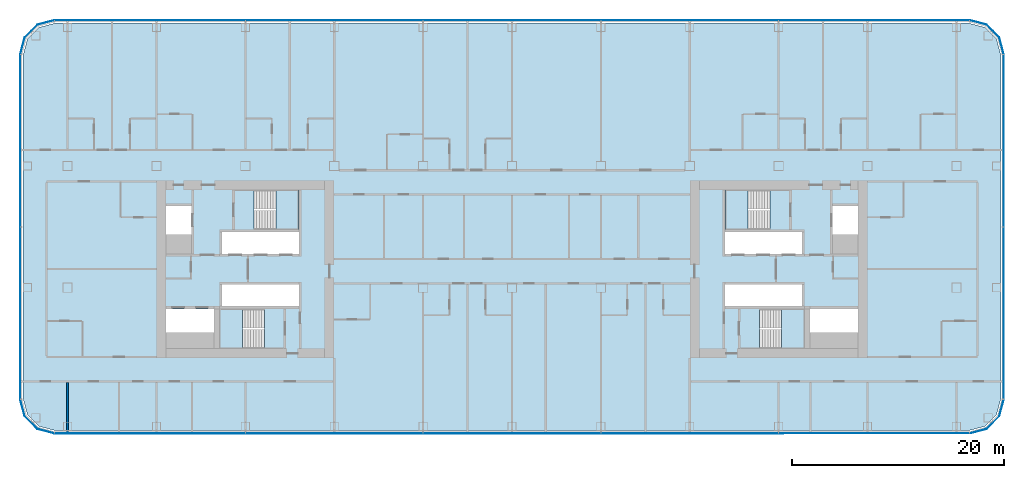
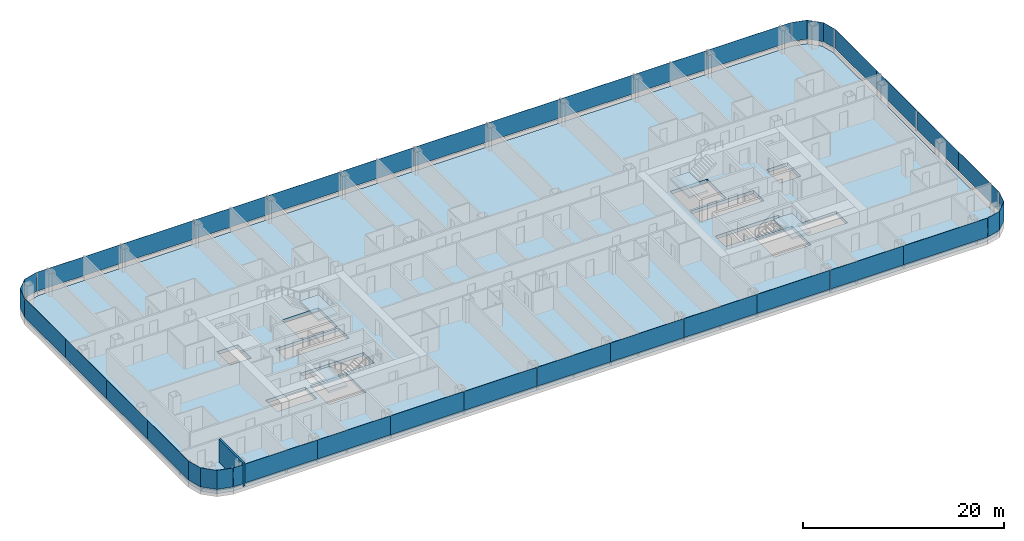
# One storey, part 14 of 29: 32 plates, 5 slabs, 1 wall, 12 elements without a shape of their own.
"""IFC4 building model written with IfcOpenShell, lengths in metres."""

from ifc_helpers import new_model, si_unit, direction, frame, frame_2d, origin, origin_2d, place, context, subcontext, project, spatial, polyline, rectangle, outline, extrude, material, layer, layer_set, type_object, element, aggregate, save


model = new_model("IFC4")

# Units and contexts
model_context = context("Model", 3, precision=1e-05, world=origin(), true_north=direction((0.0, 1.0)))
body_context = subcontext(model_context, "Body", "Model", "MODEL_VIEW")
ifc_project = project(units=[si_unit("LENGTHUNIT", "METRE"), si_unit("AREAUNIT", "SQUARE_METRE"), si_unit("VOLUMEUNIT", "CUBIC_METRE"), si_unit("PLANEANGLEUNIT", "RADIAN"), si_unit("MASSUNIT", "GRAM", prefix="KILO")], contexts=[model_context])

# Site, building, storey
site_placement = place(None, origin())
site = spatial("IfcSite", under=ifc_project, at=site_placement, CompositionType="ELEMENT")
building_placement = place(site_placement, origin())
building = spatial("IfcBuilding", under=site, at=building_placement, Name="Hakoniwa Tower and Hamabe Station Hall", CompositionType="ELEMENT")
storey_placement = place(building_placement, frame((0.0, 0.0, 113.800048828125)))
storey = spatial("IfcBuildingStorey", under=building, at=storey_placement, Name="L32", CompositionType="ELEMENT", Elevation=113.800048828125)

# Stair, slab
ifc_material_1 = material(Name="Concrete C40", Category="concrete")
stair_type = type_object("IfcStairType", Name="ESCAPE STAIR 1800", PredefinedType="HALF_TURN_STAIR", material=ifc_material_1)
stair_1_placement = place(storey_placement, origin())
stair_1 = element("IfcStair", 1, at=stair_1_placement, inside=storey, type_object=stair_type, Name="Escape stair ST-1 L32", PredefinedType="HALF_TURN_STAIR")
ifc_material_2 = material(Name="Concrete C40", Category="concrete")
ifc_layer_1 = layer(ifc_material_2, 0.25)
ifc_layer_set_1 = layer_set([ifc_layer_1], Name="CORE STAIR LANDING 250")
slab_type_1 = type_object("IfcSlabType", Name="CORE STAIR LANDING 250", PredefinedType="LANDING", material=ifc_layer_set_1)
slab_1_placement = place(storey_placement, frame((0.0, 0.0, 1.349853515625)))
slab_1 = element("IfcSlab", 2, at=slab_1_placement, type_object=slab_type_1, Name="ST-1 landing 1", PredefinedType="LANDING", context=body_context, shape_type="SweptSolid", body=[
    extrude(outline(polyline([(-22.320068359375, 3.75), (-20.14990234375, 3.75), (-20.14990234375, 7.5), (-22.320068359375, 7.5), (-22.320068359375, 3.75)])), origin(), (0.0, 0.0, 1.0), 0.25),
])
aggregate(stair_1, [slab_1])

stair_2_placement = place(storey_placement, origin())
stair_2 = element("IfcStair", 3, at=stair_2_placement, inside=storey, type_object=stair_type, Name="Escape stair ST-2 L32", PredefinedType="HALF_TURN_STAIR")
slab_2_placement = place(storey_placement, frame((0.0, 0.0, 1.349853515625)))
slab_2 = element("IfcSlab", 4, at=slab_2_placement, type_object=slab_type_1, Name="ST-2 landing 1", PredefinedType="LANDING", context=body_context, shape_type="SweptSolid", body=[
    extrude(outline(polyline([(-25.47998046875, -7.5), (-27.64990234375, -7.5), (-27.64990234375, -3.75), (-25.47998046875, -3.75), (-25.47998046875, -7.5)])), origin(), (0.0, 0.0, 1.0), 0.25),
])
aggregate(stair_2, [slab_2])

stair_3_placement = place(storey_placement, origin())
stair_3 = element("IfcStair", 5, at=stair_3_placement, inside=storey, type_object=stair_type, Name="Escape stair ST-3 L32", PredefinedType="HALF_TURN_STAIR")
slab_3_placement = place(storey_placement, frame((0.0, 0.0, 1.349853515625)))
slab_3 = element("IfcSlab", 6, at=slab_3_placement, type_object=slab_type_1, Name="ST-3 landing 1", PredefinedType="LANDING", context=body_context, shape_type="SweptSolid", body=[
    extrude(outline(polyline([(22.320068359375, 3.75), (20.14990234375, 3.75), (20.14990234375, 7.5), (22.320068359375, 7.5), (22.320068359375, 3.75)])), origin(), (0.0, 0.0, 1.0), 0.25),
])
aggregate(stair_3, [slab_3])

stair_4_placement = place(storey_placement, origin())
stair_4 = element("IfcStair", 7, at=stair_4_placement, inside=storey, type_object=stair_type, Name="Escape stair ST-4 L32", PredefinedType="HALF_TURN_STAIR")
slab_4_placement = place(storey_placement, frame((0.0, 0.0, 1.349853515625)))
slab_4 = element("IfcSlab", 8, at=slab_4_placement, type_object=slab_type_1, Name="ST-4 landing 1", PredefinedType="LANDING", context=body_context, shape_type="SweptSolid", body=[
    extrude(outline(polyline([(25.47998046875, -7.5), (27.64990234375, -7.5), (27.64990234375, -3.75), (25.47998046875, -3.75), (25.47998046875, -7.5)])), origin(), (0.0, 0.0, 1.0), 0.25),
])
aggregate(stair_4, [slab_4])

# Curtain wall, plates
ifc_material_3 = material(Name="Dark low-e laminated glass", Category="glass")
ifc_layer_2 = layer(ifc_material_3, 0.199951171875)
ifc_layer_set_2 = layer_set([ifc_layer_2], Name="CW-1 UNITISED GUEST")
curtain_wall_type = type_object("IfcCurtainWallType", Name="CW-1 UNITISED GUEST", PredefinedType="NOTDEFINED", material=ifc_layer_set_2)
curtain_wall_1_placement = place(storey_placement, origin())
curtain_wall_1 = element("IfcCurtainWall", 9, at=curtain_wall_1_placement, inside=storey, type_object=curtain_wall_type, Name="CW-1 curtain wall", PredefinedType="NOTDEFINED")
ifc_material_4 = material(Name="Dark low-e laminated glass", Category="glass")
ifc_layer_3 = layer(ifc_material_4, 0.028076171875)
ifc_layer_set_3 = layer_set([ifc_layer_3], Name="CW-1 GLASS UNIT")
plate_type = type_object("IfcPlateType", Name="CW-1 GLASS UNIT", PredefinedType="CURTAIN_PANEL", material=ifc_layer_set_3)
plate_1_placement = place(storey_placement, frame((46.486083984375, -8.217041015625, 0.35009765625), z_axis=(0.0, 0.0, 1.0), x_axis=(0.0, 1.0, 0.0)))
plate_1 = element("IfcPlate", 10, at=plate_1_placement, type_object=plate_type, Name="CW-1 glass unit", PredefinedType="CURTAIN_PANEL", context=body_context, shape_type="SweptSolid", body=[
    extrude(rectangle(XDim=8.124755859375, YDim=0.028076171875, at=origin_2d()), origin(), (0.0, 0.0, 1.0), 2.300048828125),
])
plate_2_placement = place(storey_placement, frame((46.486083984375, -0.072265625, 0.35009765625), z_axis=(0.0, 0.0, 1.0), x_axis=(0.0, 1.0, 0.0)))
plate_2 = element("IfcPlate", 11, at=plate_2_placement, type_object=plate_type, Name="CW-1 glass unit", PredefinedType="CURTAIN_PANEL", context=body_context, shape_type="SweptSolid", body=[
    extrude(rectangle(XDim=8.124755859375, YDim=0.028076171875, at=origin_2d()), origin(), (0.0, 0.0, 1.0), 2.300048828125),
])
plate_3_placement = place(storey_placement, frame((46.486083984375, 8.072265625, 0.35009765625), z_axis=(0.0, 0.0, 1.0), x_axis=(0.0, 1.0, 0.0)))
plate_3 = element("IfcPlate", 12, at=plate_3_placement, type_object=plate_type, Name="CW-1 glass unit", PredefinedType="CURTAIN_PANEL", context=body_context, shape_type="SweptSolid", body=[
    extrude(rectangle(XDim=8.124755859375, YDim=0.028076171875, at=origin_2d()), origin(), (0.0, 0.0, 1.0), 2.300048828125),
])
plate_4_placement = place(storey_placement, frame((46.486083984375, 16.217041015625, 0.35009765625), z_axis=(0.0, 0.0, 1.0), x_axis=(0.0, 1.0, 0.0)))
plate_4 = element("IfcPlate", 13, at=plate_4_placement, type_object=plate_type, Name="CW-1 glass unit", PredefinedType="CURTAIN_PANEL", context=body_context, shape_type="SweptSolid", body=[
    extrude(rectangle(XDim=8.124755859375, YDim=0.028076171875, at=origin_2d()), origin(), (0.0, 0.0, 1.0), 2.300048828125),
])
aggregate(curtain_wall_1, [plate_1, plate_2, plate_3, plate_4])

# Curtain wall, plate
curtain_wall_2_placement = place(storey_placement, origin())
curtain_wall_2 = element("IfcCurtainWall", 14, at=curtain_wall_2_placement, inside=storey, type_object=curtain_wall_type, Name="CW-1 curtain wall", PredefinedType="NOTDEFINED")
plate_5_placement = place(storey_placement, frame((0.0, 0.0, 0.349853515625)))
plate_5 = element("IfcPlate", 15, at=plate_5_placement, type_object=plate_type, Name="CW-1 curved corner unit", PredefinedType="CURTAIN_PANEL", context=body_context, shape_type="SweptSolid", body=[
    extrude(outline(polyline([(46.48974609375, 20.328125), (46.067138671875, 21.9052734375), (44.855224609375, 23.116943359375), (43.278076171875, 23.53955078125), (43.27099609375, 23.5126953125), (44.8408203125, 23.092041015625), (46.0419921875, 21.890869140625), (46.462646484375, 20.32080078125), (46.48974609375, 20.328125)])), origin(), (0.0, 0.0, 1.0), 2.300048828125),
])
aggregate(curtain_wall_2, [plate_5])

# Curtain wall, plates
curtain_wall_3_placement = place(storey_placement, origin())
curtain_wall_3 = element("IfcCurtainWall", 16, at=curtain_wall_3_placement, inside=storey, type_object=curtain_wall_type, Name="CW-1 curtain wall", PredefinedType="NOTDEFINED")
plate_6_placement = place(storey_placement, frame((38.419677734375, 23.535888671875, 0.35009765625), z_axis=(0.0, 0.0, 1.0), x_axis=(-1.0, 0.0, 0.0)))
plate_6 = element("IfcPlate", 17, at=plate_6_placement, type_object=plate_type, Name="CW-1 glass unit", PredefinedType="CURTAIN_PANEL", context=body_context, shape_type="SweptSolid", body=[
    extrude(rectangle(XDim=9.619384765625, YDim=0.028076171875, at=origin_2d()), origin(), (0.0, 0.0, 1.0), 2.300048828125),
])
plate_7_placement = place(storey_placement, frame((29.39990234375, 23.535888671875, 0.35009765625), z_axis=(0.0, 0.0, 1.0), x_axis=(-1.0, 0.0, 0.0)))
plate_7 = element("IfcPlate", 18, at=plate_7_placement, type_object=plate_type, Name="CW-1 glass unit", PredefinedType="CURTAIN_PANEL", context=body_context, shape_type="SweptSolid", body=[
    extrude(rectangle(XDim=8.3798828125, YDim=0.028076171875, at=origin_2d()), origin(), (0.0, 0.0, 1.0), 2.300048828125),
])
plate_8_placement = place(storey_placement, frame((21.0, 23.535888671875, 0.35009765625), z_axis=(0.0, 0.0, 1.0), x_axis=(-1.0, 0.0, 0.0)))
plate_8 = element("IfcPlate", 19, at=plate_8_placement, type_object=plate_type, Name="CW-1 glass unit", PredefinedType="CURTAIN_PANEL", context=body_context, shape_type="SweptSolid", body=[
    extrude(rectangle(XDim=8.3798828125, YDim=0.028076171875, at=origin_2d()), origin(), (0.0, 0.0, 1.0), 2.300048828125),
])
plate_9_placement = place(storey_placement, frame((12.60009765625, 23.535888671875, 0.35009765625), z_axis=(0.0, 0.0, 1.0), x_axis=(-1.0, 0.0, 0.0)))
plate_9 = element("IfcPlate", 20, at=plate_9_placement, type_object=plate_type, Name="CW-1 glass unit", PredefinedType="CURTAIN_PANEL", context=body_context, shape_type="SweptSolid", body=[
    extrude(rectangle(XDim=8.3798828125, YDim=0.028076171875, at=origin_2d()), origin(), (0.0, 0.0, 1.0), 2.300048828125),
])
plate_10_placement = place(storey_placement, frame((4.199951171875, 23.535888671875, 0.35009765625), z_axis=(0.0, 0.0, 1.0), x_axis=(-1.0, 0.0, 0.0)))
plate_10 = element("IfcPlate", 21, at=plate_10_placement, type_object=plate_type, Name="CW-1 glass unit", PredefinedType="CURTAIN_PANEL", context=body_context, shape_type="SweptSolid", body=[
    extrude(rectangle(XDim=8.3798828125, YDim=0.028076171875, at=origin_2d()), origin(), (0.0, 0.0, 1.0), 2.300048828125),
])
plate_11_placement = place(storey_placement, frame((-4.199951171875, 23.535888671875, 0.35009765625), z_axis=(0.0, 0.0, 1.0), x_axis=(-1.0, 0.0, 0.0)))
plate_11 = element("IfcPlate", 22, at=plate_11_placement, type_object=plate_type, Name="CW-1 glass unit", PredefinedType="CURTAIN_PANEL", context=body_context, shape_type="SweptSolid", body=[
    extrude(rectangle(XDim=8.3798828125, YDim=0.028076171875, at=origin_2d()), origin(), (0.0, 0.0, 1.0), 2.300048828125),
])
plate_12_placement = place(storey_placement, frame((-12.60009765625, 23.535888671875, 0.35009765625), z_axis=(0.0, 0.0, 1.0), x_axis=(-1.0, 0.0, 0.0)))
plate_12 = element("IfcPlate", 23, at=plate_12_placement, type_object=plate_type, Name="CW-1 glass unit", PredefinedType="CURTAIN_PANEL", context=body_context, shape_type="SweptSolid", body=[
    extrude(rectangle(XDim=8.3798828125, YDim=0.028076171875, at=origin_2d()), origin(), (0.0, 0.0, 1.0), 2.300048828125),
])
plate_13_placement = place(storey_placement, frame((-21.0, 23.535888671875, 0.35009765625), z_axis=(0.0, 0.0, 1.0), x_axis=(-1.0, 0.0, 0.0)))
plate_13 = element("IfcPlate", 24, at=plate_13_placement, type_object=plate_type, Name="CW-1 glass unit", PredefinedType="CURTAIN_PANEL", context=body_context, shape_type="SweptSolid", body=[
    extrude(rectangle(XDim=8.3798828125, YDim=0.028076171875, at=origin_2d()), origin(), (0.0, 0.0, 1.0), 2.300048828125),
])
plate_14_placement = place(storey_placement, frame((-29.39990234375, 23.535888671875, 0.35009765625), z_axis=(0.0, 0.0, 1.0), x_axis=(-1.0, 0.0, 0.0)))
plate_14 = element("IfcPlate", 25, at=plate_14_placement, type_object=plate_type, Name="CW-1 glass unit", PredefinedType="CURTAIN_PANEL", context=body_context, shape_type="SweptSolid", body=[
    extrude(rectangle(XDim=8.3798828125, YDim=0.028076171875, at=origin_2d()), origin(), (0.0, 0.0, 1.0), 2.300048828125),
])
plate_15_placement = place(storey_placement, frame((-38.419677734375, 23.535888671875, 0.35009765625), z_axis=(0.0, 0.0, 1.0), x_axis=(-1.0, 0.0, 0.0)))
plate_15 = element("IfcPlate", 26, at=plate_15_placement, type_object=plate_type, Name="CW-1 glass unit", PredefinedType="CURTAIN_PANEL", context=body_context, shape_type="SweptSolid", body=[
    extrude(rectangle(XDim=9.619384765625, YDim=0.028076171875, at=origin_2d()), origin(), (0.0, 0.0, 1.0), 2.300048828125),
])
aggregate(curtain_wall_3, [plate_6, plate_7, plate_8, plate_9, plate_10, plate_11, plate_12, plate_13, plate_14, plate_15])

# Curtain wall, plate
curtain_wall_4_placement = place(storey_placement, origin())
curtain_wall_4 = element("IfcCurtainWall", 27, at=curtain_wall_4_placement, inside=storey, type_object=curtain_wall_type, Name="CW-1 curtain wall", PredefinedType="NOTDEFINED")
plate_16_placement = place(storey_placement, frame((0.0, 0.0, 0.349853515625)))
plate_16 = element("IfcPlate", 28, at=plate_16_placement, type_object=plate_type, Name="CW-1 curved corner unit", PredefinedType="CURTAIN_PANEL", context=body_context, shape_type="SweptSolid", body=[
    extrude(outline(polyline([(-43.278076171875, 23.53955078125), (-44.855224609375, 23.116943359375), (-46.067138671875, 21.9052734375), (-46.48974609375, 20.328125), (-46.462646484375, 20.32080078125), (-46.0419921875, 21.890869140625), (-44.8408203125, 23.092041015625), (-43.27099609375, 23.5126953125), (-43.278076171875, 23.53955078125)])), origin(), (0.0, 0.0, 1.0), 2.300048828125),
])
aggregate(curtain_wall_4, [plate_16])

# Curtain wall, plates
curtain_wall_5_placement = place(storey_placement, origin())
curtain_wall_5 = element("IfcCurtainWall", 29, at=curtain_wall_5_placement, inside=storey, type_object=curtain_wall_type, Name="CW-1 curtain wall", PredefinedType="NOTDEFINED")
plate_17_placement = place(storey_placement, frame((-46.486083984375, 16.217041015625, 0.35009765625), z_axis=(0.0, 0.0, 1.0), x_axis=(0.0, -1.0, 0.0)))
plate_17 = element("IfcPlate", 30, at=plate_17_placement, type_object=plate_type, Name="CW-1 glass unit", PredefinedType="CURTAIN_PANEL", context=body_context, shape_type="SweptSolid", body=[
    extrude(rectangle(XDim=8.124755859375, YDim=0.028076171875, at=origin_2d()), origin(), (0.0, 0.0, 1.0), 2.300048828125),
])
plate_18_placement = place(storey_placement, frame((-46.486083984375, 8.072265625, 0.35009765625), z_axis=(0.0, 0.0, 1.0), x_axis=(0.0, -1.0, 0.0)))
plate_18 = element("IfcPlate", 31, at=plate_18_placement, type_object=plate_type, Name="CW-1 glass unit", PredefinedType="CURTAIN_PANEL", context=body_context, shape_type="SweptSolid", body=[
    extrude(rectangle(XDim=8.124755859375, YDim=0.028076171875, at=origin_2d()), origin(), (0.0, 0.0, 1.0), 2.300048828125),
])
plate_19_placement = place(storey_placement, frame((-46.486083984375, -0.072265625, 0.35009765625), z_axis=(0.0, 0.0, 1.0), x_axis=(0.0, -1.0, 0.0)))
plate_19 = element("IfcPlate", 32, at=plate_19_placement, type_object=plate_type, Name="CW-1 glass unit", PredefinedType="CURTAIN_PANEL", context=body_context, shape_type="SweptSolid", body=[
    extrude(rectangle(XDim=8.124755859375, YDim=0.028076171875, at=origin_2d()), origin(), (0.0, 0.0, 1.0), 2.300048828125),
])
plate_20_placement = place(storey_placement, frame((-46.486083984375, -8.217041015625, 0.35009765625), z_axis=(0.0, 0.0, 1.0), x_axis=(0.0, -1.0, 0.0)))
plate_20 = element("IfcPlate", 33, at=plate_20_placement, type_object=plate_type, Name="CW-1 glass unit", PredefinedType="CURTAIN_PANEL", context=body_context, shape_type="SweptSolid", body=[
    extrude(rectangle(XDim=8.124755859375, YDim=0.028076171875, at=origin_2d()), origin(), (0.0, 0.0, 1.0), 2.300048828125),
])
aggregate(curtain_wall_5, [plate_17, plate_18, plate_19, plate_20])

# Curtain wall, plate
curtain_wall_6_placement = place(storey_placement, origin())
curtain_wall_6 = element("IfcCurtainWall", 34, at=curtain_wall_6_placement, inside=storey, type_object=curtain_wall_type, Name="CW-1 curtain wall", PredefinedType="NOTDEFINED")
plate_21_placement = place(storey_placement, frame((0.0, 0.0, 0.349853515625)))
plate_21 = element("IfcPlate", 35, at=plate_21_placement, type_object=plate_type, Name="CW-1 curved corner unit", PredefinedType="CURTAIN_PANEL", context=body_context, shape_type="SweptSolid", body=[
    extrude(outline(polyline([(-46.48974609375, -12.328125), (-46.067138671875, -13.9052734375), (-44.855224609375, -15.116943359375), (-43.278076171875, -15.53955078125), (-43.27099609375, -15.5126953125), (-44.8408203125, -15.092041015625), (-46.0419921875, -13.890869140625), (-46.462646484375, -12.32080078125), (-46.48974609375, -12.328125)])), origin(), (0.0, 0.0, 1.0), 2.300048828125),
])
aggregate(curtain_wall_6, [plate_21])

# Curtain wall, plates
curtain_wall_7_placement = place(storey_placement, origin())
curtain_wall_7 = element("IfcCurtainWall", 36, at=curtain_wall_7_placement, inside=storey, type_object=curtain_wall_type, Name="CW-1 curtain wall", PredefinedType="NOTDEFINED")
plate_22_placement = place(storey_placement, frame((-38.419677734375, -15.535888671875, 0.35009765625), z_axis=(0.0, 0.0, 1.0), x_axis=(1.0, 0.0, 0.0)))
plate_22 = element("IfcPlate", 37, at=plate_22_placement, type_object=plate_type, Name="CW-1 glass unit", PredefinedType="CURTAIN_PANEL", context=body_context, shape_type="SweptSolid", body=[
    extrude(rectangle(XDim=9.619384765625, YDim=0.028076171875, at=origin_2d()), origin(), (0.0, 0.0, 1.0), 2.300048828125),
])
plate_23_placement = place(storey_placement, frame((-29.39990234375, -15.535888671875, 0.35009765625), z_axis=(0.0, 0.0, 1.0), x_axis=(1.0, 0.0, 0.0)))
plate_23 = element("IfcPlate", 38, at=plate_23_placement, type_object=plate_type, Name="CW-1 glass unit", PredefinedType="CURTAIN_PANEL", context=body_context, shape_type="SweptSolid", body=[
    extrude(rectangle(XDim=8.3798828125, YDim=0.028076171875, at=origin_2d()), origin(), (0.0, 0.0, 1.0), 2.300048828125),
])
plate_24_placement = place(storey_placement, frame((-21.0, -15.535888671875, 0.35009765625), z_axis=(0.0, 0.0, 1.0), x_axis=(1.0, 0.0, 0.0)))
plate_24 = element("IfcPlate", 39, at=plate_24_placement, type_object=plate_type, Name="CW-1 glass unit", PredefinedType="CURTAIN_PANEL", context=body_context, shape_type="SweptSolid", body=[
    extrude(rectangle(XDim=8.3798828125, YDim=0.028076171875, at=origin_2d()), origin(), (0.0, 0.0, 1.0), 2.300048828125),
])
plate_25_placement = place(storey_placement, frame((-12.60009765625, -15.535888671875, 0.35009765625), z_axis=(0.0, 0.0, 1.0), x_axis=(1.0, 0.0, 0.0)))
plate_25 = element("IfcPlate", 40, at=plate_25_placement, type_object=plate_type, Name="CW-1 glass unit", PredefinedType="CURTAIN_PANEL", context=body_context, shape_type="SweptSolid", body=[
    extrude(rectangle(XDim=8.3798828125, YDim=0.028076171875, at=origin_2d()), origin(), (0.0, 0.0, 1.0), 2.300048828125),
])
plate_26_placement = place(storey_placement, frame((-4.199951171875, -15.535888671875, 0.35009765625), z_axis=(0.0, 0.0, 1.0), x_axis=(1.0, 0.0, 0.0)))
plate_26 = element("IfcPlate", 41, at=plate_26_placement, type_object=plate_type, Name="CW-1 glass unit", PredefinedType="CURTAIN_PANEL", context=body_context, shape_type="SweptSolid", body=[
    extrude(rectangle(XDim=8.3798828125, YDim=0.028076171875, at=origin_2d()), origin(), (0.0, 0.0, 1.0), 2.300048828125),
])
plate_27_placement = place(storey_placement, frame((4.199951171875, -15.535888671875, 0.35009765625), z_axis=(0.0, 0.0, 1.0), x_axis=(1.0, 0.0, 0.0)))
plate_27 = element("IfcPlate", 42, at=plate_27_placement, type_object=plate_type, Name="CW-1 glass unit", PredefinedType="CURTAIN_PANEL", context=body_context, shape_type="SweptSolid", body=[
    extrude(rectangle(XDim=8.3798828125, YDim=0.028076171875, at=origin_2d()), origin(), (0.0, 0.0, 1.0), 2.300048828125),
])
plate_28_placement = place(storey_placement, frame((12.60009765625, -15.535888671875, 0.35009765625), z_axis=(0.0, 0.0, 1.0), x_axis=(1.0, 0.0, 0.0)))
plate_28 = element("IfcPlate", 43, at=plate_28_placement, type_object=plate_type, Name="CW-1 glass unit", PredefinedType="CURTAIN_PANEL", context=body_context, shape_type="SweptSolid", body=[
    extrude(rectangle(XDim=8.3798828125, YDim=0.028076171875, at=origin_2d()), origin(), (0.0, 0.0, 1.0), 2.300048828125),
])
plate_29_placement = place(storey_placement, frame((21.0, -15.535888671875, 0.35009765625), z_axis=(0.0, 0.0, 1.0), x_axis=(1.0, 0.0, 0.0)))
plate_29 = element("IfcPlate", 44, at=plate_29_placement, type_object=plate_type, Name="CW-1 glass unit", PredefinedType="CURTAIN_PANEL", context=body_context, shape_type="SweptSolid", body=[
    extrude(rectangle(XDim=8.3798828125, YDim=0.028076171875, at=origin_2d()), origin(), (0.0, 0.0, 1.0), 2.300048828125),
])
plate_30_placement = place(storey_placement, frame((29.39990234375, -15.535888671875, 0.35009765625), z_axis=(0.0, 0.0, 1.0), x_axis=(1.0, 0.0, 0.0)))
plate_30 = element("IfcPlate", 45, at=plate_30_placement, type_object=plate_type, Name="CW-1 glass unit", PredefinedType="CURTAIN_PANEL", context=body_context, shape_type="SweptSolid", body=[
    extrude(rectangle(XDim=8.3798828125, YDim=0.028076171875, at=origin_2d()), origin(), (0.0, 0.0, 1.0), 2.300048828125),
])
plate_31_placement = place(storey_placement, frame((38.419677734375, -15.535888671875, 0.35009765625), z_axis=(0.0, 0.0, 1.0), x_axis=(1.0, 0.0, 0.0)))
plate_31 = element("IfcPlate", 46, at=plate_31_placement, type_object=plate_type, Name="CW-1 glass unit", PredefinedType="CURTAIN_PANEL", context=body_context, shape_type="SweptSolid", body=[
    extrude(rectangle(XDim=9.619384765625, YDim=0.028076171875, at=origin_2d()), origin(), (0.0, 0.0, 1.0), 2.300048828125),
])
aggregate(curtain_wall_7, [plate_22, plate_23, plate_24, plate_25, plate_26, plate_27, plate_28, plate_29, plate_30, plate_31])

# Curtain wall, plate
curtain_wall_8_placement = place(storey_placement, origin())
curtain_wall_8 = element("IfcCurtainWall", 47, at=curtain_wall_8_placement, inside=storey, type_object=curtain_wall_type, Name="CW-1 curtain wall", PredefinedType="NOTDEFINED")
plate_32_placement = place(storey_placement, frame((0.0, 0.0, 0.349853515625)))
plate_32 = element("IfcPlate", 48, at=plate_32_placement, type_object=plate_type, Name="CW-1 curved corner unit", PredefinedType="CURTAIN_PANEL", context=body_context, shape_type="SweptSolid", body=[
    extrude(outline(polyline([(43.278076171875, -15.53955078125), (44.855224609375, -15.116943359375), (46.067138671875, -13.9052734375), (46.48974609375, -12.328125), (46.462646484375, -12.32080078125), (46.0419921875, -13.890869140625), (44.8408203125, -15.092041015625), (43.27099609375, -15.5126953125), (43.278076171875, -15.53955078125)])), origin(), (0.0, 0.0, 1.0), 2.300048828125),
])
aggregate(curtain_wall_8, [plate_32])

# Slab
ifc_material_5 = material(Name="Concrete C42", Category="concrete")
ifc_layer_4 = layer(ifc_material_5, 0.39990234375)
ifc_layer_set_4 = layer_set([ifc_layer_4], Name="PT FLAT PLATE 400")
slab_type_2 = type_object("IfcSlabType", Name="PT FLAT PLATE 400", PredefinedType="FLOOR", material=ifc_layer_set_4)
slab_5_placement = place(storey_placement, frame((0.0, 0.0, -0.400146484375)))
element("IfcSlab", 49, at=slab_5_placement, inside=storey, type_object=slab_type_2, Name="Floor slab L32", PredefinedType="FLOOR", context=body_context, shape_type="SweptSolid", body=[
    extrude(outline(polyline([(46.199951171875, -12.25), (46.199951171875, 20.25), (45.798095703125, 21.75), (44.699951171875, 22.84814453125), (43.199951171875, 23.25), (-43.199951171875, 23.25), (-44.699951171875, 22.84814453125), (-45.798095703125, 21.75), (-46.199951171875, 20.25), (-46.199951171875, -12.25), (-45.798095703125, -13.75), (-44.699951171875, -14.84814453125), (-43.199951171875, -15.25), (43.199951171875, -15.25), (44.699951171875, -14.84814453125), (45.798095703125, -13.75), (46.199951171875, -12.25)]), holes=[polyline([(-27.39990234375, 1.449951171875), (-27.39990234375, 3.5), (-20.14990234375, 3.5), (-20.14990234375, 1.449951171875), (-27.39990234375, 1.449951171875)]), polyline([(-27.39990234375, -3.5), (-27.39990234375, -1.449951171875), (-20.14990234375, -1.449951171875), (-20.14990234375, -3.5), (-27.39990234375, -3.5)]), polyline([(-32.699951171875, 3.300048828125), (-32.699951171875, 5.949951171875), (-30.300048828125, 5.949951171875), (-30.300048828125, 3.300048828125), (-32.699951171875, 3.300048828125)]), polyline([(-32.699951171875, -6.0), (-32.699951171875, -3.75), (-28.14990234375, -3.75), (-28.14990234375, -6.0), (-32.699951171875, -6.0)]), polyline([(-24.389892578125, 3.75), (-24.389892578125, 7.5), (-20.14990234375, 7.5), (-20.14990234375, 3.75), (-24.389892578125, 3.75)]), polyline([(-27.64990234375, -7.5), (-27.64990234375, -3.75), (-23.409912109375, -3.75), (-23.409912109375, -7.5), (-27.64990234375, -7.5)]), polyline([(20.14990234375, 1.449951171875), (20.14990234375, 3.5), (27.39990234375, 3.5), (27.39990234375, 1.449951171875), (20.14990234375, 1.449951171875)]), polyline([(20.14990234375, -3.5), (20.14990234375, -1.449951171875), (27.39990234375, -1.449951171875), (27.39990234375, -3.5), (20.14990234375, -3.5)]), polyline([(30.300048828125, 3.300048828125), (30.300048828125, 5.949951171875), (32.699951171875, 5.949951171875), (32.699951171875, 3.300048828125), (30.300048828125, 3.300048828125)]), polyline([(28.14990234375, -6.0), (28.14990234375, -3.75), (32.699951171875, -3.75), (32.699951171875, -6.0), (28.14990234375, -6.0)]), polyline([(20.14990234375, 3.75), (20.14990234375, 7.5), (24.389892578125, 7.5), (24.389892578125, 3.75), (20.14990234375, 3.75)]), polyline([(23.409912109375, -7.5), (23.409912109375, -3.75), (27.64990234375, -3.75), (27.64990234375, -7.5), (23.409912109375, -7.5)])]), origin(), (0.0, 0.0, 1.0), 0.400146484375),
])

# Wall
ifc_material_6 = material(Name="Fire-rated gypsum board partition", Category="gypsum")
ifc_layer_5 = layer(ifc_material_6, 0.199951171875)
ifc_layer_set_5 = layer_set([ifc_layer_5], Name="Party Wall 200")
wall_type = type_object("IfcWallType", Name="Party Wall 200", PredefinedType="PARTITIONING", material=ifc_layer_set_5)
wall_placement = place(storey_placement, frame((-42.0, -15.550048828125, 0.0), z_axis=(0.0, 0.0, 1.0), x_axis=(0.0, 1.0, 0.0)))
element("IfcWall", 50, at=wall_placement, inside=storey, type_object=wall_type, Name="GW-L32-037", PredefinedType="PARTITIONING", context=body_context, shape_type="SweptSolid", body=[
    extrude(rectangle(XDim=4.85009765625, YDim=0.199951171875, at=frame_2d((2.425048828125, 0.0))), origin(), (0.0, 0.0, 1.0), 2.800048828125),
])

save(model, "model.ifc")
